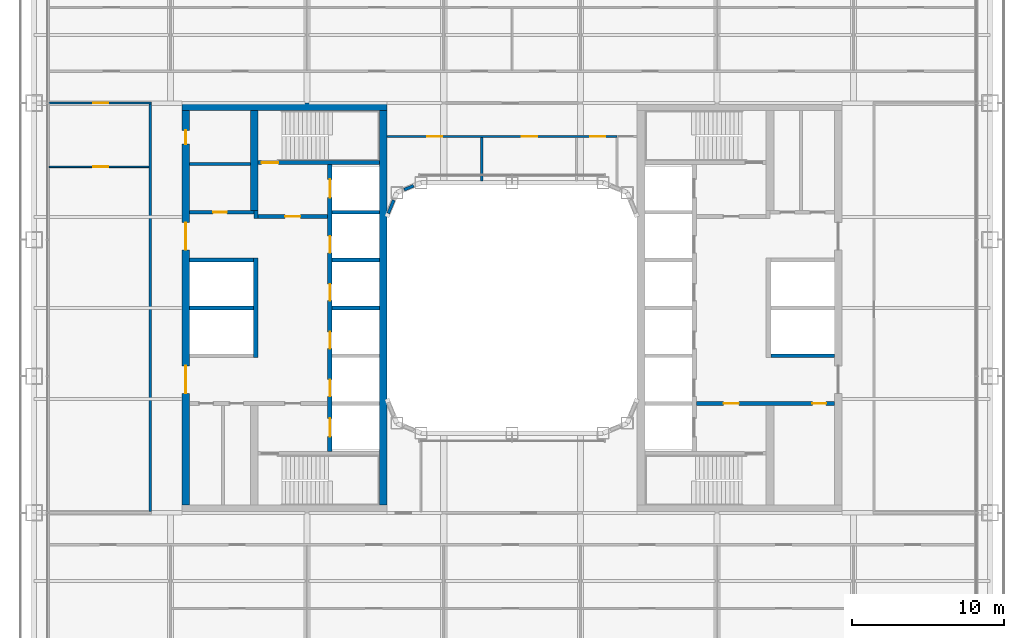
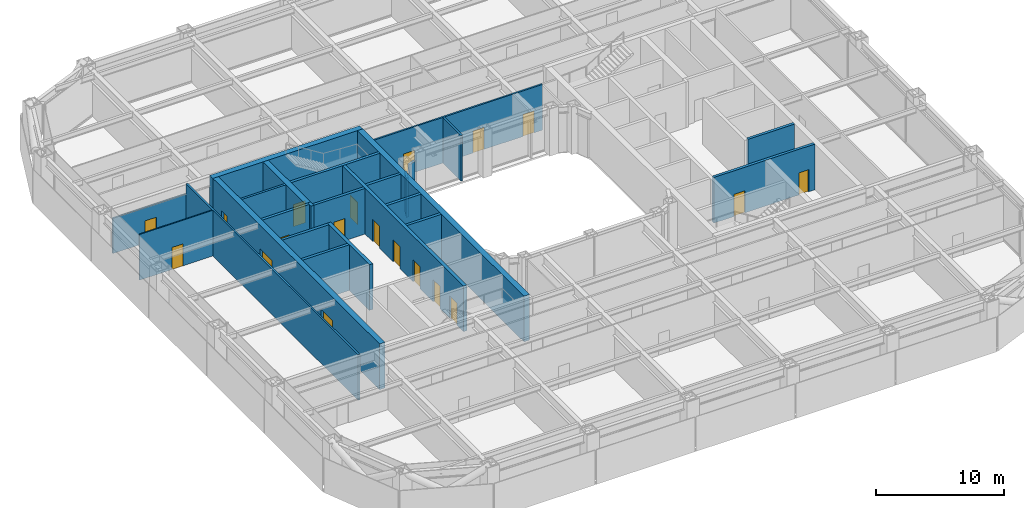
# One storey, part 13 of 24: 25 walls, 19 doors, 19 openings.
"""IFC4 building model written with IfcOpenShell, lengths in metres."""

from ifc_helpers import new_model, si_unit, direction, frame, frame_2d, origin, place, context, subcontext, project, spatial, rectangle, extrude, material, layer, layer_set, type_object, element, fill, save


model = new_model("IFC4")

# Units and contexts
model_context = context("Model", 3, precision=1e-05, world=origin(), true_north=direction((0.0, 1.0)))
body_context = subcontext(model_context, "Body", "Model", "MODEL_VIEW")
ifc_project = project(units=[si_unit("LENGTHUNIT", "METRE"), si_unit("AREAUNIT", "SQUARE_METRE"), si_unit("VOLUMEUNIT", "CUBIC_METRE"), si_unit("PLANEANGLEUNIT", "RADIAN"), si_unit("MASSUNIT", "GRAM", prefix="KILO")], contexts=[model_context])

# Site, building, storey
site_placement = place(None, origin())
site = spatial("IfcSite", under=ifc_project, at=site_placement, CompositionType="ELEMENT")
building_placement = place(site_placement, origin())
building = spatial("IfcBuilding", under=site, at=building_placement, Name="Siwar Civic Tower", CompositionType="ELEMENT")
storey_placement = place(building_placement, frame((0.0, 0.0, 22.199951171875)))
storey = spatial("IfcBuildingStorey", under=building, at=storey_placement, Name="L04", CompositionType="ELEMENT", Elevation=22.199951171875)

# Wall
ifc_material_1 = material(Name="Gypsum board on steel studs", Category="steel")
ifc_layer_1 = layer(ifc_material_1, 0.199951171875)
ifc_layer_set_1 = layer_set([ifc_layer_1], Name="Gypsum board on steel studs")
wall_type_1 = type_object("IfcWallType", Name="CORE-PARTITION-200", PredefinedType="PARTITIONING", material=ifc_layer_set_1)
wall_1_placement = place(storey_placement, frame((-17.25, 9.5, 0.0), z_axis=(0.0, 0.0, 1.0), x_axis=(-1.0, 0.0, 0.0)))
element("IfcWall", 1, at=wall_1_placement, inside=storey, type_object=wall_type_1, Name="Core partition W", PredefinedType="PARTITIONING", context=body_context, shape_type="SweptSolid", body=[
    extrude(rectangle(XDim=4.0, YDim=0.199951171875, at=frame_2d((2.0, 0.0))), origin(), (0.0, 0.0, 1.0), 4.35009765625),
])

# Wall, opening, door
ifc_material_2 = material(Name="Concrete C60/75", Category="concrete")
ifc_layer_2 = layer(ifc_material_2, 0.25)
ifc_layer_set_2 = layer_set([ifc_layer_2], Name="Concrete C60/75")
wall_type_2 = type_object("IfcWallType", Name="CORE-WALL-RC250", PredefinedType="SHEAR", material=ifc_layer_set_2)
wall_2_placement = place(storey_placement, frame((-12.14990234375, 6.02490234375, 0.0), z_axis=(0.0, 0.0, 1.0), x_axis=(-1.0, 0.0, 0.0)))
wall_2 = element("IfcWall", 2, at=wall_2_placement, inside=storey, type_object=wall_type_2, Name="Core wall W", PredefinedType="SHEAR", context=body_context, shape_type="SweptSolid", body=[
    extrude(rectangle(XDim=4.60009765625, YDim=0.25, at=frame_2d((2.300048828125, 0.0))), origin(), (0.0, 0.0, 1.0), 4.35009765625),
])
opening_1_placement = place(wall_2_placement, frame((1.800048828125, 0.0, 0.0)))
opening_1 = element("IfcOpeningElement", 3, at=opening_1_placement, cuts=wall_2, Name="Opening L04-CW01", PredefinedType="OPENING", context=body_context, shape_type="SweptSolid", body=[
    extrude(rectangle(XDim=1.0, YDim=2.10009765625, at=frame_2d((0.5, 1.050048828125))), frame((0.0, 0.135009765625, 0.0), z_axis=(0.0, -1.0, 0.0), x_axis=(1.0, 0.0, 0.0)), (0.0, 0.0, 1.0), 0.27001953125),
])
ifc_material_3 = material(Name="Steel door leaf", Category="steel")
door_type_1 = type_object("IfcDoorType", Name="CORE-DOOR-FD30S", OperationType="SINGLE_SWING_LEFT", PredefinedType="DOOR", material=ifc_material_3)
door_1_placement = place(opening_1_placement, origin())
door_1 = element("IfcDoor", 4, at=door_1_placement, inside=storey, type_object=door_type_1, Name="Firefighting lobby door L04-CW01", OperationType="SINGLE_SWING_LEFT", OverallHeight=2.10009765625, OverallWidth=1.0, PredefinedType="DOOR", context=body_context, shape_type="SweptSolid", body=[
    extrude(rectangle(XDim=1.0, YDim=2.10009765625, at=frame_2d((0.5, 1.050048828125))), frame((0.0, 0.02490234375, 0.0), z_axis=(0.0, -1.0, 0.0), x_axis=(1.0, 0.0, 0.0)), (0.0, 0.0, 1.0), 0.050048828125),
])
fill(opening_1, door_1)

# Wall
wall_3_placement = place(storey_placement, frame((-16.875, 5.89990234375, 0.0), z_axis=(0.0, 0.0, 1.0), x_axis=(0.0, 1.0, 0.0)))
element("IfcWall", 5, at=wall_3_placement, inside=storey, type_object=wall_type_2, Name="Core wall W", PredefinedType="SHEAR", context=body_context, shape_type="SweptSolid", body=[
    extrude(rectangle(XDim=0.525146484375, YDim=0.25, at=frame_2d((0.2626953125, 0.0))), origin(), (0.0, 0.0, 1.0), 4.35009765625),
])

# Wall, opening, door
wall_4_placement = place(storey_placement, frame((-17.0, 6.300048828125, 0.0), z_axis=(0.0, 0.0, 1.0), x_axis=(-1.0, 0.0, 0.0)))
wall_4 = element("IfcWall", 6, at=wall_4_placement, inside=storey, type_object=wall_type_2, Name="Core wall W", PredefinedType="SHEAR", context=body_context, shape_type="SweptSolid", body=[
    extrude(rectangle(XDim=4.25, YDim=0.25, at=frame_2d((2.125, 0.0))), origin(), (0.0, 0.0, 1.0), 4.35009765625),
])
opening_2_placement = place(wall_4_placement, frame((1.800048828125, 0.0, 0.0)))
opening_2 = element("IfcOpeningElement", 7, at=opening_2_placement, cuts=wall_4, Name="Opening L04-CW13", PredefinedType="OPENING", context=body_context, shape_type="SweptSolid", body=[
    extrude(rectangle(XDim=0.89990234375, YDim=2.10009765625, at=frame_2d((0.449951171875, 1.050048828125))), frame((0.0, 0.135009765625, 0.0), z_axis=(0.0, -1.0, 0.0), x_axis=(1.0, 0.0, 0.0)), (0.0, 0.0, 1.0), 0.27001953125),
])
ifc_material_4 = material(Name="Steel door leaf", Category="steel")
door_type_2 = type_object("IfcDoorType", Name="CORE-DOOR-ROOM", OperationType="SINGLE_SWING_LEFT", PredefinedType="DOOR", material=ifc_material_4)
door_2_placement = place(opening_2_placement, origin())
door_2 = element("IfcDoor", 8, at=door_2_placement, inside=storey, type_object=door_type_2, Name="Core room door L04-CW13", OperationType="SINGLE_SWING_LEFT", OverallHeight=2.10009765625, OverallWidth=0.89990234375, PredefinedType="DOOR", context=body_context, shape_type="SweptSolid", body=[
    extrude(rectangle(XDim=0.89990234375, YDim=2.10009765625, at=frame_2d((0.449951171875, 1.050048828125))), frame((0.0, 0.02490234375, 0.0), z_axis=(0.0, -1.0, 0.0), x_axis=(1.0, 0.0, 0.0)), (0.0, 0.0, 1.0), 0.050048828125),
])
fill(opening_2, door_2)

# Walls
for number, where, z_axis, x_axis, name in (
    (9, (-17.050048828125, 0.0, 0.0), (0.0, 0.0, 1.0), (-1.0, 0.0, 0.0), "Core wall W"),
    (10, (-17.050048828125, 3.14990234375, 0.0), (0.0, 0.0, 1.0), (-1.0, 0.0, 0.0), "Core wall W"),
):
    element("IfcWall", number, at=place(storey_placement, frame(where, z_axis=z_axis, x_axis=x_axis)), inside=storey, type_object=wall_type_2, Name=name, PredefinedType="SHEAR", context=body_context, shape_type="SweptSolid", body=[
        extrude(rectangle(XDim=4.199951171875, YDim=0.25, at=frame_2d((2.10009765625, 0.0))), origin(), (0.0, 0.0, 1.0), 4.35009765625),
    ])
for number, where, z_axis, x_axis, name in (
    (11, (-8.75, 0.0, 0.0), (0.0, 0.0, 1.0), (-1.0, 0.0, 0.0), "Core wall W"),
    (12, (-8.75, 3.14990234375, 0.0), (0.0, 0.0, 1.0), (-1.0, 0.0, 0.0), "Core wall W"),
    (13, (-8.75, 6.300048828125, 0.0), (0.0, 0.0, 1.0), (-1.0, 0.0, 0.0), "Core wall W"),
):
    element("IfcWall", number, at=place(storey_placement, frame(where, z_axis=z_axis, x_axis=x_axis)), inside=storey, type_object=wall_type_2, Name=name, PredefinedType="SHEAR", context=body_context, shape_type="SweptSolid", body=[
        extrude(rectangle(XDim=3.10009765625, YDim=0.25, at=frame_2d((1.550048828125, 0.0))), origin(), (0.0, 0.0, 1.0), 4.35009765625),
    ])

# Wall, opening, door
wall_5_placement = place(storey_placement, frame((-8.75, 9.574951171875, 0.0), z_axis=(0.0, 0.0, 1.0), x_axis=(-1.0, 0.0, 0.0)))
wall_5 = element("IfcWall", 14, at=wall_5_placement, inside=storey, type_object=wall_type_2, Name="Core wall W", PredefinedType="SHEAR", context=body_context, shape_type="SweptSolid", body=[
    extrude(rectangle(XDim=8.0, YDim=0.25, at=frame_2d((4.0, 0.0))), origin(), (0.0, 0.0, 1.0), 4.35009765625),
])
opening_3_placement = place(wall_5_placement, frame((6.64990234375, 0.0, 0.0)))
opening_3 = element("IfcOpeningElement", 15, at=opening_3_placement, cuts=wall_5, Name="Opening L04-CW03", PredefinedType="OPENING", context=body_context, shape_type="SweptSolid", body=[
    extrude(rectangle(XDim=1.10009765625, YDim=2.10009765625, at=frame_2d((0.550048828125, 1.050048828125))), frame((0.0, 0.135009765625, 0.0), z_axis=(0.0, -1.0, 0.0), x_axis=(1.0, 0.0, 0.0)), (0.0, 0.0, 1.0), 0.27001953125),
])
ifc_material_5 = material(Name="Steel door leaf", Category="steel")
door_type_3 = type_object("IfcDoorType", Name="CORE-DOOR-FD60S", OperationType="SINGLE_SWING_LEFT", PredefinedType="DOOR", material=ifc_material_5)
door_3_placement = place(opening_3_placement, origin())
door_3 = element("IfcDoor", 16, at=door_3_placement, inside=storey, type_object=door_type_3, Name="Stair door L04-CW03", OperationType="SINGLE_SWING_RIGHT", OverallHeight=2.10009765625, OverallWidth=1.10009765625, PredefinedType="DOOR", context=body_context, shape_type="SweptSolid", body=[
    extrude(rectangle(XDim=1.10009765625, YDim=2.10009765625, at=frame_2d((0.550048828125, 1.050048828125))), frame((0.0, 0.02490234375, 0.0), z_axis=(0.0, -1.0, 0.0), x_axis=(1.0, 0.0, 0.0)), (0.0, 0.0, 1.0), 0.050048828125),
])
fill(opening_3, door_3)

# Wall, openings, doors
wall_6_placement = place(storey_placement, frame((12.14990234375, -6.300048828125, 0.0), z_axis=(0.0, 0.0, 1.0), x_axis=(1.0, 0.0, 0.0)))
wall_6 = element("IfcWall", 17, at=wall_6_placement, inside=storey, type_object=wall_type_2, Name="Core wall E", PredefinedType="SHEAR", context=body_context, shape_type="SweptSolid", body=[
    extrude(rectangle(XDim=9.10009765625, YDim=0.25, at=frame_2d((4.550048828125, 0.0))), origin(), (0.0, 0.0, 1.0), 4.35009765625),
])
opening_4_placement = place(wall_6_placement, frame((1.800048828125, 0.0, 0.0)))
opening_4 = element("IfcOpeningElement", 18, at=opening_4_placement, cuts=wall_6, Name="Opening L04-CE02", PredefinedType="OPENING", context=body_context, shape_type="SweptSolid", body=[
    extrude(rectangle(XDim=1.0, YDim=2.10009765625, at=frame_2d((0.5, 1.050048828125))), frame((0.0, 0.135009765625, 0.0), z_axis=(0.0, -1.0, 0.0), x_axis=(1.0, 0.0, 0.0)), (0.0, 0.0, 1.0), 0.27001953125),
])
opening_5_placement = place(wall_6_placement, frame((7.64990234375, 0.0, 0.0)))
opening_5 = element("IfcOpeningElement", 19, at=opening_5_placement, cuts=wall_6, Name="Opening L04-CE15", PredefinedType="OPENING", context=body_context, shape_type="SweptSolid", body=[
    extrude(rectangle(XDim=0.89990234375, YDim=2.10009765625, at=frame_2d((0.449951171875, 1.050048828125))), frame((0.0, 0.135009765625, 0.0), z_axis=(0.0, -1.0, 0.0), x_axis=(1.0, 0.0, 0.0)), (0.0, 0.0, 1.0), 0.27001953125),
])
door_4_placement = place(opening_4_placement, origin())
door_4 = element("IfcDoor", 20, at=door_4_placement, inside=storey, type_object=door_type_1, Name="Service lobby door L04-CE02", OperationType="SINGLE_SWING_LEFT", OverallHeight=2.10009765625, OverallWidth=1.0, PredefinedType="DOOR", context=body_context, shape_type="SweptSolid", body=[
    extrude(rectangle(XDim=1.0, YDim=2.10009765625, at=frame_2d((0.5, 1.050048828125))), frame((0.0, 0.02490234375, 0.0), z_axis=(0.0, -1.0, 0.0), x_axis=(1.0, 0.0, 0.0)), (0.0, 0.0, 1.0), 0.050048828125),
])
fill(opening_4, door_4)
door_5_placement = place(opening_5_placement, origin())
door_5 = element("IfcDoor", 21, at=door_5_placement, inside=storey, type_object=door_type_2, Name="Core room door L04-CE15", OperationType="SINGLE_SWING_RIGHT", OverallHeight=2.10009765625, OverallWidth=0.89990234375, PredefinedType="DOOR", context=body_context, shape_type="SweptSolid", body=[
    extrude(rectangle(XDim=0.89990234375, YDim=2.10009765625, at=frame_2d((0.449951171875, 1.050048828125))), frame((0.0, 0.02490234375, 0.0), z_axis=(0.0, -1.0, 0.0), x_axis=(1.0, 0.0, 0.0)), (0.0, 0.0, 1.0), 0.050048828125),
])
fill(opening_5, door_5)

# Wall
wall_7_placement = place(storey_placement, frame((17.050048828125, -3.14990234375, 0.0), z_axis=(0.0, 0.0, 1.0), x_axis=(1.0, 0.0, 0.0)))
element("IfcWall", 22, at=wall_7_placement, inside=storey, type_object=wall_type_2, Name="Core wall E", PredefinedType="SHEAR", context=body_context, shape_type="SweptSolid", body=[
    extrude(rectangle(XDim=4.199951171875, YDim=0.25, at=frame_2d((2.10009765625, 0.0))), origin(), (0.0, 0.0, 1.0), 4.35009765625),
])

# Wall, openings, doors
ifc_material_6 = material(Name="Concrete C60/75", Category="concrete")
ifc_layer_3 = layer(ifc_material_6, 0.300048828125)
ifc_layer_set_3 = layer_set([ifc_layer_3], Name="Concrete C60/75")
wall_type_3 = type_object("IfcWallType", Name="CORE-WALL-RC300", PredefinedType="SHEAR", material=ifc_layer_set_3)
wall_8_placement = place(storey_placement, frame((-12.0, -9.449951171875, 0.0), z_axis=(0.0, 0.0, 1.0), x_axis=(0.0, 1.0, 0.0)))
wall_8 = element("IfcWall", 23, at=wall_8_placement, inside=storey, type_object=wall_type_3, Name="Core wall W", PredefinedType="SHEAR", context=body_context, shape_type="SweptSolid", body=[
    extrude(rectangle(XDim=18.89990234375, YDim=0.300048828125, at=frame_2d((9.449951171875, 0.0))), origin(), (0.0, 0.0, 1.0), 4.35009765625),
])
opening_6_placement = place(wall_8_placement, frame((3.625, 0.0, 0.0)))
opening_6 = element("IfcOpeningElement", 24, at=opening_6_placement, cuts=wall_8, Name="Opening L04-CW07", PredefinedType="OPENING", context=body_context, shape_type="SweptSolid", body=[
    extrude(rectangle(XDim=1.10009765625, YDim=2.10009765625, at=frame_2d((0.550048828125, 1.050048828125))), frame((0.0, 0.16015625, 0.0), z_axis=(0.0, -1.0, 0.0), x_axis=(1.0, 0.0, 0.0)), (0.0, 0.0, 1.0), 0.320068359375),
])
opening_7_placement = place(wall_8_placement, frame((6.77490234375, 0.0, 0.0)))
opening_7 = element("IfcOpeningElement", 25, at=opening_7_placement, cuts=wall_8, Name="Opening L04-CW08", PredefinedType="OPENING", context=body_context, shape_type="SweptSolid", body=[
    extrude(rectangle(XDim=1.10009765625, YDim=2.10009765625, at=frame_2d((0.550048828125, 1.050048828125))), frame((0.0, 0.16015625, 0.0), z_axis=(0.0, -1.0, 0.0), x_axis=(1.0, 0.0, 0.0)), (0.0, 0.0, 1.0), 0.320068359375),
])
opening_8_placement = place(wall_8_placement, frame((9.925048828125, 0.0, 0.0)))
opening_8 = element("IfcOpeningElement", 26, at=opening_8_placement, cuts=wall_8, Name="Opening L04-CW09", PredefinedType="OPENING", context=body_context, shape_type="SweptSolid", body=[
    extrude(rectangle(XDim=1.10009765625, YDim=2.10009765625, at=frame_2d((0.550048828125, 1.050048828125))), frame((0.0, 0.16015625, 0.0), z_axis=(0.0, -1.0, 0.0), x_axis=(1.0, 0.0, 0.0)), (0.0, 0.0, 1.0), 0.320068359375),
])
opening_9_placement = place(wall_8_placement, frame((13.074951171875, 0.0, 0.0)))
opening_9 = element("IfcOpeningElement", 27, at=opening_9_placement, cuts=wall_8, Name="Opening L04-CW10", PredefinedType="OPENING", context=body_context, shape_type="SweptSolid", body=[
    extrude(rectangle(XDim=1.10009765625, YDim=2.10009765625, at=frame_2d((0.550048828125, 1.050048828125))), frame((0.0, 0.16015625, 0.0), z_axis=(0.0, -1.0, 0.0), x_axis=(1.0, 0.0, 0.0)), (0.0, 0.0, 1.0), 0.320068359375),
])
opening_10_placement = place(wall_8_placement, frame((16.72509765625, 0.0, 0.0)))
opening_10 = element("IfcOpeningElement", 28, at=opening_10_placement, cuts=wall_8, Name="Opening L04-CW11", PredefinedType="OPENING", context=body_context, shape_type="SweptSolid", body=[
    extrude(rectangle(XDim=1.199951171875, YDim=2.10009765625, at=frame_2d((0.60009765625, 1.050048828125))), frame((0.0, 0.16015625, 0.0), z_axis=(0.0, -1.0, 0.0), x_axis=(1.0, 0.0, 0.0)), (0.0, 0.0, 1.0), 0.320068359375),
])
opening_11_placement = place(wall_8_placement, frame((0.97509765625, 0.0, 0.0)))
opening_11 = element("IfcOpeningElement", 29, at=opening_11_placement, cuts=wall_8, Name="Opening L04-CW12", PredefinedType="OPENING", context=body_context, shape_type="SweptSolid", body=[
    extrude(rectangle(XDim=1.199951171875, YDim=2.10009765625, at=frame_2d((0.60009765625, 1.050048828125))), frame((0.0, 0.16015625, 0.0), z_axis=(0.0, -1.0, 0.0), x_axis=(1.0, 0.0, 0.0)), (0.0, 0.0, 1.0), 0.320068359375),
])
ifc_material_7 = material(Name="Steel door leaf", Category="steel")
door_type_4 = type_object("IfcDoorType", Name="CORE-DOOR-LD", OperationType="DOUBLE_DOOR_SLIDING", PredefinedType="DOOR", material=ifc_material_7)
door_6_placement = place(opening_6_placement, origin())
door_6 = element("IfcDoor", 30, at=door_6_placement, inside=storey, type_object=door_type_4, Name="Landing door LR1 L04-CW07", OperationType="DOUBLE_DOOR_SLIDING", OverallHeight=2.10009765625, OverallWidth=1.10009765625, PredefinedType="DOOR", context=body_context, shape_type="SweptSolid", body=[
    extrude(rectangle(XDim=1.10009765625, YDim=2.10009765625, at=frame_2d((0.550048828125, 1.050048828125))), frame((0.0, 0.02490234375, 0.0), z_axis=(0.0, -1.0, 0.0), x_axis=(1.0, 0.0, 0.0)), (0.0, 0.0, 1.0), 0.050048828125),
])
fill(opening_6, door_6)
door_7_placement = place(opening_7_placement, origin())
door_7 = element("IfcDoor", 31, at=door_7_placement, inside=storey, type_object=door_type_4, Name="Landing door LR2 L04-CW08", OperationType="DOUBLE_DOOR_SLIDING", OverallHeight=2.10009765625, OverallWidth=1.10009765625, PredefinedType="DOOR", context=body_context, shape_type="SweptSolid", body=[
    extrude(rectangle(XDim=1.10009765625, YDim=2.10009765625, at=frame_2d((0.550048828125, 1.050048828125))), frame((0.0, 0.02490234375, 0.0), z_axis=(0.0, -1.0, 0.0), x_axis=(1.0, 0.0, 0.0)), (0.0, 0.0, 1.0), 0.050048828125),
])
fill(opening_7, door_7)
door_8_placement = place(opening_8_placement, origin())
door_8 = element("IfcDoor", 32, at=door_8_placement, inside=storey, type_object=door_type_4, Name="Landing door LR3 L04-CW09", OperationType="DOUBLE_DOOR_SLIDING", OverallHeight=2.10009765625, OverallWidth=1.10009765625, PredefinedType="DOOR", context=body_context, shape_type="SweptSolid", body=[
    extrude(rectangle(XDim=1.10009765625, YDim=2.10009765625, at=frame_2d((0.550048828125, 1.050048828125))), frame((0.0, 0.02490234375, 0.0), z_axis=(0.0, -1.0, 0.0), x_axis=(1.0, 0.0, 0.0)), (0.0, 0.0, 1.0), 0.050048828125),
])
fill(opening_8, door_8)
door_9_placement = place(opening_9_placement, origin())
door_9 = element("IfcDoor", 33, at=door_9_placement, inside=storey, type_object=door_type_4, Name="Landing door LR4 L04-CW10", OperationType="DOUBLE_DOOR_SLIDING", OverallHeight=2.10009765625, OverallWidth=1.10009765625, PredefinedType="DOOR", context=body_context, shape_type="SweptSolid", body=[
    extrude(rectangle(XDim=1.10009765625, YDim=2.10009765625, at=frame_2d((0.550048828125, 1.050048828125))), frame((0.0, 0.02490234375, 0.0), z_axis=(0.0, -1.0, 0.0), x_axis=(1.0, 0.0, 0.0)), (0.0, 0.0, 1.0), 0.050048828125),
])
fill(opening_9, door_9)
ifc_material_8 = material(Name="Steel door leaf", Category="steel")
door_type_5 = type_object("IfcDoorType", Name="CORE-DOOR-LDW", OperationType="DOUBLE_DOOR_SLIDING", PredefinedType="DOOR", material=ifc_material_8)
door_10_placement = place(opening_10_placement, origin())
door_10 = element("IfcDoor", 34, at=door_10_placement, inside=storey, type_object=door_type_5, Name="Landing door FF1 L04-CW11", OperationType="DOUBLE_DOOR_SLIDING", OverallHeight=2.10009765625, OverallWidth=1.199951171875, PredefinedType="DOOR", context=body_context, shape_type="SweptSolid", body=[
    extrude(rectangle(XDim=1.199951171875, YDim=2.10009765625, at=frame_2d((0.60009765625, 1.050048828125))), frame((0.0, 0.02490234375, 0.0), z_axis=(0.0, -1.0, 0.0), x_axis=(1.0, 0.0, 0.0)), (0.0, 0.0, 1.0), 0.050048828125),
])
fill(opening_10, door_10)
door_11_placement = place(opening_11_placement, origin())
door_11 = element("IfcDoor", 35, at=door_11_placement, inside=storey, type_object=door_type_5, Name="Landing door SV1 L04-CW12", OperationType="DOUBLE_DOOR_SLIDING", OverallHeight=2.10009765625, OverallWidth=1.199951171875, PredefinedType="DOOR", context=body_context, shape_type="SweptSolid", body=[
    extrude(rectangle(XDim=1.199951171875, YDim=2.10009765625, at=frame_2d((0.60009765625, 1.050048828125))), frame((0.0, 0.02490234375, 0.0), z_axis=(0.0, -1.0, 0.0), x_axis=(1.0, 0.0, 0.0)), (0.0, 0.0, 1.0), 0.050048828125),
])
fill(opening_11, door_11)

# Wall
wall_9_placement = place(storey_placement, frame((-16.89990234375, -3.27490234375, 0.0), z_axis=(0.0, 0.0, 1.0), x_axis=(0.0, 1.0, 0.0)))
element("IfcWall", 36, at=wall_9_placement, inside=storey, type_object=wall_type_3, Name="Core wall W", PredefinedType="SHEAR", context=body_context, shape_type="SweptSolid", body=[
    extrude(rectangle(XDim=6.5498046875, YDim=0.300048828125, at=frame_2d((3.27490234375, 0.0))), origin(), (0.0, 0.0, 1.0), 4.35009765625),
])

# Wall, openings, doors
ifc_material_9 = material(Name="Concrete C60/75", Category="concrete")
ifc_layer_4 = layer(ifc_material_9, 0.5)
ifc_layer_set_4 = layer_set([ifc_layer_4], Name="Concrete C60/75")
wall_type_4 = type_object("IfcWallType", Name="CORE-WALL-RC500", PredefinedType="SHEAR", material=ifc_layer_set_4)
wall_10_placement = place(storey_placement, frame((-21.5, -13.0, 0.0), z_axis=(0.0, 0.0, 1.0), x_axis=(0.0, 1.0, 0.0)))
wall_10 = element("IfcWall", 37, at=wall_10_placement, inside=storey, type_object=wall_type_4, Name="Core wall W", PredefinedType="SHEAR", context=body_context, shape_type="SweptSolid", body=[
    extrude(rectangle(XDim=26.0, YDim=0.5, at=frame_2d((13.0, 0.0))), origin(), (0.0, 0.0, 1.0), 4.35009765625),
])
opening_12_placement = place(wall_10_placement, frame((16.824951171875, 0.0, 0.0)))
opening_12 = element("IfcOpeningElement", 38, at=opening_12_placement, cuts=wall_10, Name="Opening L04-CW05", PredefinedType="OPENING", context=body_context, shape_type="SweptSolid", body=[
    extrude(rectangle(XDim=1.800048828125, YDim=2.10009765625, at=frame_2d((0.89990234375, 1.050048828125))), frame((0.0, 0.260009765625, 0.0), z_axis=(0.0, -1.0, 0.0), x_axis=(1.0, 0.0, 0.0)), (0.0, 0.0, 1.0), 0.52001953125),
])
opening_13_placement = place(wall_10_placement, frame((7.375, 0.0, 0.0)))
opening_13 = element("IfcOpeningElement", 39, at=opening_13_placement, cuts=wall_10, Name="Opening L04-CW06", PredefinedType="OPENING", context=body_context, shape_type="SweptSolid", body=[
    extrude(rectangle(XDim=1.800048828125, YDim=2.10009765625, at=frame_2d((0.89990234375, 1.050048828125))), frame((0.0, 0.260009765625, 0.0), z_axis=(0.0, -1.0, 0.0), x_axis=(1.0, 0.0, 0.0)), (0.0, 0.0, 1.0), 0.52001953125),
])
opening_14_placement = place(wall_10_placement, frame((23.800048828125, 0.0, 0.0)))
opening_14 = element("IfcOpeningElement", 40, at=opening_14_placement, cuts=wall_10, Name="Opening L04-CW14", PredefinedType="OPENING", context=body_context, shape_type="SweptSolid", body=[
    extrude(rectangle(XDim=0.89990234375, YDim=2.10009765625, at=frame_2d((0.449951171875, 1.050048828125))), frame((0.0, 0.260009765625, 0.0), z_axis=(0.0, -1.0, 0.0), x_axis=(1.0, 0.0, 0.0)), (0.0, 0.0, 1.0), 0.52001953125),
])
ifc_material_10 = material(Name="Steel door leaf", Category="steel")
door_type_6 = type_object("IfcDoorType", Name="CORE-DOOR-PORT", OperationType="DOUBLE_DOOR_DOUBLE_SWING", PredefinedType="DOOR", material=ifc_material_10)
door_12_placement = place(opening_12_placement, origin())
door_12 = element("IfcDoor", 41, at=door_12_placement, inside=storey, type_object=door_type_6, Name="Core entrance door L04-CW05", OperationType="DOUBLE_DOOR_DOUBLE_SWING", OverallHeight=2.10009765625, OverallWidth=1.800048828125, PredefinedType="DOOR", context=body_context, shape_type="SweptSolid", body=[
    extrude(rectangle(XDim=1.800048828125, YDim=2.10009765625, at=frame_2d((0.89990234375, 1.050048828125))), frame((0.0, 0.02490234375, 0.0), z_axis=(0.0, -1.0, 0.0), x_axis=(1.0, 0.0, 0.0)), (0.0, 0.0, 1.0), 0.050048828125),
])
fill(opening_12, door_12)
door_13_placement = place(opening_13_placement, origin())
door_13 = element("IfcDoor", 42, at=door_13_placement, inside=storey, type_object=door_type_6, Name="Core entrance door L04-CW06", OperationType="DOUBLE_DOOR_DOUBLE_SWING", OverallHeight=2.10009765625, OverallWidth=1.800048828125, PredefinedType="DOOR", context=body_context, shape_type="SweptSolid", body=[
    extrude(rectangle(XDim=1.800048828125, YDim=2.10009765625, at=frame_2d((0.89990234375, 1.050048828125))), frame((0.0, 0.02490234375, 0.0), z_axis=(0.0, -1.0, 0.0), x_axis=(1.0, 0.0, 0.0)), (0.0, 0.0, 1.0), 0.050048828125),
])
fill(opening_13, door_13)
door_14_placement = place(opening_14_placement, origin())
door_14 = element("IfcDoor", 43, at=door_14_placement, inside=storey, type_object=door_type_2, Name="Core room door L04-CW14", OperationType="SINGLE_SWING_LEFT", OverallHeight=2.10009765625, OverallWidth=0.89990234375, PredefinedType="DOOR", context=body_context, shape_type="SweptSolid", body=[
    extrude(rectangle(XDim=0.89990234375, YDim=2.10009765625, at=frame_2d((0.449951171875, 1.050048828125))), frame((0.0, 0.02490234375, 0.0), z_axis=(0.0, -1.0, 0.0), x_axis=(1.0, 0.0, 0.0)), (0.0, 0.0, 1.0), 0.050048828125),
])
fill(opening_14, door_14)

# Walls
wall_11_placement = place(storey_placement, frame((-17.0, 6.425048828125, 0.0), z_axis=(0.0, 0.0, 1.0), x_axis=(0.0, 1.0, 0.0)))
element("IfcWall", 44, at=wall_11_placement, inside=storey, type_object=wall_type_4, Name="Core wall W", PredefinedType="SHEAR", context=body_context, shape_type="SweptSolid", body=[
    extrude(rectangle(XDim=6.574951171875, YDim=0.5, at=frame_2d((3.28759765625, 0.0))), origin(), (0.0, 0.0, 1.0), 4.35009765625),
])
wall_12_placement = place(storey_placement, frame((-8.25, 13.25, 0.0), z_axis=(0.0, 0.0, 1.0), x_axis=(-1.0, 0.0, 0.0)))
element("IfcWall", 45, at=wall_12_placement, inside=storey, type_object=wall_type_4, Name="Core wall W", PredefinedType="SHEAR", context=body_context, shape_type="SweptSolid", body=[
    extrude(rectangle(XDim=13.5, YDim=0.5, at=frame_2d((6.75, 0.0))), origin(), (0.0, 0.0, 1.0), 4.35009765625),
])
ifc_material_11 = material(Name="Concrete C60/75", Category="concrete")
ifc_layer_5 = layer(ifc_material_11, 0.5)
ifc_layer_set_5 = layer_set([ifc_layer_5], Name="Concrete C60/75")
wall_type_5 = type_object("IfcWallType", Name="CORE-WALL-RC500-EXT", PredefinedType="SHEAR", material=ifc_layer_set_5)
wall_13_placement = place(storey_placement, frame((-8.5, -13.0, 0.0), z_axis=(0.0, 0.0, 1.0), x_axis=(0.0, 1.0, 0.0)))
element("IfcWall", 46, at=wall_13_placement, inside=storey, type_object=wall_type_5, Name="Core wall W", PredefinedType="SHEAR", context=body_context, shape_type="SweptSolid", body=[
    extrude(rectangle(XDim=26.0, YDim=0.5, at=frame_2d((13.0, 0.0))), origin(), (0.0, 0.0, 1.0), 4.35009765625),
])

# Wall, openings, doors
ifc_material_12 = material(Name="Gypsum board on steel studs", Category="steel")
ifc_layer_6 = layer(ifc_material_12, 0.14990234375)
ifc_layer_set_6 = layer_set([ifc_layer_6], Name="Gypsum board on steel studs")
wall_type_6 = type_object("IfcWallType", Name="CORRIDOR PARTITION 150 EI 30", PredefinedType="PARTITIONING", material=ifc_layer_set_6)
wall_14_placement = place(storey_placement, frame((-8.25, 11.300048828125, 0.0), z_axis=(0.0, 0.0, 1.0), x_axis=(1.0, 0.0, 0.0)))
wall_14 = element("IfcWall", 47, at=wall_14_placement, inside=storey, type_object=wall_type_6, Name="L04/wall/P07", PredefinedType="PARTITIONING", context=body_context, shape_type="SweptSolid", body=[
    extrude(rectangle(XDim=15.169921875, YDim=0.14990234375, at=frame_2d((7.5849609375, 0.0))), origin(), (0.0, 0.0, 1.0), 4.35009765625),
])
opening_15_placement = place(wall_14_placement, frame((2.64990234375, 0.0, 0.0)))
opening_15 = element("IfcOpeningElement", 48, at=opening_15_placement, cuts=wall_14, Name="Opening D3", PredefinedType="OPENING", context=body_context, shape_type="SweptSolid", body=[
    extrude(rectangle(XDim=1.0, YDim=2.10009765625, at=frame_2d((0.5, 1.050048828125))), frame((0.0, 0.0849609375, 0.0), z_axis=(0.0, -1.0, 0.0), x_axis=(1.0, 0.0, 0.0)), (0.0, 0.0, 1.0), 0.169921875),
])
opening_16_placement = place(wall_14_placement, frame((8.89990234375, 0.0, 0.0)))
opening_16 = element("IfcOpeningElement", 49, at=opening_16_placement, cuts=wall_14, Name="Opening D3", PredefinedType="OPENING", context=body_context, shape_type="SweptSolid", body=[
    extrude(rectangle(XDim=1.0, YDim=2.10009765625, at=frame_2d((0.5, 1.050048828125))), frame((0.0, 0.0849609375, 0.0), z_axis=(0.0, -1.0, 0.0), x_axis=(1.0, 0.0, 0.0)), (0.0, 0.0, 1.0), 0.169921875),
])
opening_17_placement = place(wall_14_placement, frame((13.39990234375, 0.0, 0.0)))
opening_17 = element("IfcOpeningElement", 50, at=opening_17_placement, cuts=wall_14, Name="Opening D3", PredefinedType="OPENING", context=body_context, shape_type="SweptSolid", body=[
    extrude(rectangle(XDim=1.0, YDim=2.10009765625, at=frame_2d((0.5, 1.050048828125))), frame((0.0, 0.0849609375, 0.0), z_axis=(0.0, -1.0, 0.0), x_axis=(1.0, 0.0, 0.0)), (0.0, 0.0, 1.0), 0.169921875),
])
ifc_material_13 = material(Name="Timber, painted", Category="wood")
door_type_7 = type_object("IfcDoorType", Name="DOOR 1000 X 2100 WC", OperationType="SINGLE_SWING_LEFT", PredefinedType="DOOR", material=ifc_material_13)
door_15_placement = place(opening_15_placement, origin())
door_15 = element("IfcDoor", 51, at=door_15_placement, inside=storey, type_object=door_type_7, Name="L04-D33", OperationType="SINGLE_SWING_LEFT", OverallHeight=2.10009765625, OverallWidth=1.0, PredefinedType="DOOR", context=body_context, shape_type="SweptSolid", body=[
    extrude(rectangle(XDim=1.0, YDim=2.10009765625, at=frame_2d((0.5, 1.050048828125))), frame((0.0, 0.02490234375, 0.0), z_axis=(0.0, -1.0, 0.0), x_axis=(1.0, 0.0, 0.0)), (0.0, 0.0, 1.0), 0.050048828125),
])
fill(opening_15, door_15)
door_16_placement = place(opening_16_placement, origin())
door_16 = element("IfcDoor", 52, at=door_16_placement, inside=storey, type_object=door_type_7, Name="L04-D34", OperationType="SINGLE_SWING_RIGHT", OverallHeight=2.10009765625, OverallWidth=1.0, PredefinedType="DOOR", context=body_context, shape_type="SweptSolid", body=[
    extrude(rectangle(XDim=1.0, YDim=2.10009765625, at=frame_2d((0.5, 1.050048828125))), frame((0.0, 0.02490234375, 0.0), z_axis=(0.0, -1.0, 0.0), x_axis=(1.0, 0.0, 0.0)), (0.0, 0.0, 1.0), 0.050048828125),
])
fill(opening_16, door_16)
door_17_placement = place(opening_17_placement, origin())
door_17 = element("IfcDoor", 53, at=door_17_placement, inside=storey, type_object=door_type_7, Name="L04-D35", OperationType="SINGLE_SWING_LEFT", OverallHeight=2.10009765625, OverallWidth=1.0, PredefinedType="DOOR", context=body_context, shape_type="SweptSolid", body=[
    extrude(rectangle(XDim=1.0, YDim=2.10009765625, at=frame_2d((0.5, 1.050048828125))), frame((0.0, 0.02490234375, 0.0), z_axis=(0.0, -1.0, 0.0), x_axis=(1.0, 0.0, 0.0)), (0.0, 0.0, 1.0), 0.050048828125),
])
fill(opening_17, door_17)

# Wall, opening, door
wall_15_placement = place(storey_placement, frame((-30.510009765625, 13.5, 0.0), z_axis=(0.0, 0.0, 1.0), x_axis=(1.0, 0.0, 0.0)))
wall_15 = element("IfcWall", 54, at=wall_15_placement, inside=storey, type_object=wall_type_6, Name="L04/wall/P09", PredefinedType="PARTITIONING", context=body_context, shape_type="SweptSolid", body=[
    extrude(rectangle(XDim=6.735107421875, YDim=0.14990234375, at=frame_2d((3.36767578125, 0.0))), origin(), (0.0, 0.0, 1.0), 3.35009765625),
])
opening_18_placement = place(wall_15_placement, frame((2.89990234375, 0.0, 0.0)))
opening_18 = element("IfcOpeningElement", 55, at=opening_18_placement, cuts=wall_15, Name="Opening D1", PredefinedType="OPENING", context=body_context, shape_type="SweptSolid", body=[
    extrude(rectangle(XDim=1.0, YDim=2.10009765625, at=frame_2d((0.5, 1.050048828125))), frame((0.0, 0.0849609375, 0.0), z_axis=(0.0, -1.0, 0.0), x_axis=(1.0, 0.0, 0.0)), (0.0, 0.0, 1.0), 0.169921875),
])
ifc_material_14 = material(Name="Timber, painted", Category="wood")
door_type_8 = type_object("IfcDoorType", Name="DOOR 1000 X 2100 FD30", OperationType="SINGLE_SWING_LEFT", PredefinedType="DOOR", material=ifc_material_14)
door_18_placement = place(opening_18_placement, origin())
door_18 = element("IfcDoor", 56, at=door_18_placement, inside=storey, type_object=door_type_8, Name="L04-D29", OperationType="SINGLE_SWING_LEFT", OverallHeight=2.10009765625, OverallWidth=1.0, PredefinedType="DOOR", context=body_context, shape_type="SweptSolid", body=[
    extrude(rectangle(XDim=1.0, YDim=2.10009765625, at=frame_2d((0.5, 1.050048828125))), frame((0.0, 0.02490234375, 0.0), z_axis=(0.0, -1.0, 0.0), x_axis=(1.0, 0.0, 0.0)), (0.0, 0.0, 1.0), 0.050048828125),
])
fill(opening_18, door_18)

# Walls
wall_16_placement = place(storey_placement, frame((-23.85009765625, -13.425048828125, 0.0), z_axis=(0.0, 0.0, 1.0), x_axis=(0.0, 1.0, 0.0)))
element("IfcWall", 57, at=wall_16_placement, inside=storey, type_object=wall_type_6, Name="L04/wall/P14", PredefinedType="PARTITIONING", context=body_context, shape_type="SweptSolid", body=[
    extrude(rectangle(XDim=26.85009765625, YDim=0.14990234375, at=frame_2d((13.425048828125, 0.0))), origin(), (0.0, 0.0, 1.0), 4.35009765625),
])
wall_17_placement = place(storey_placement, frame((-2.0, 8.3701171875, 0.0), z_axis=(0.0, 0.0, 1.0), x_axis=(0.0, 1.0, 0.0)))
element("IfcWall", 58, at=wall_17_placement, inside=storey, type_object=wall_type_6, Name="L04/wall/P27", PredefinedType="PARTITIONING", context=body_context, shape_type="SweptSolid", body=[
    extrude(rectangle(XDim=2.85498046875, YDim=0.14990234375, at=frame_2d((1.427490234375, 0.0))), origin(), (0.0, 0.0, 1.0), 4.35009765625),
])
ifc_material_15 = material(Name="Aluminium clad insulated panel", Category="aluminium")
ifc_layer_7 = layer(ifc_material_15, 0.199951171875)
ifc_layer_set_7 = layer_set([ifc_layer_7], Name="Aluminium clad insulated panel")
wall_type_7 = type_object("IfcWallType", Name="ENV-WALL-WELL", PredefinedType="STANDARD", material=ifc_layer_set_7)
wall_18_placement = place(storey_placement, frame((-6.48291015625, 8.050048828125, 0.0), z_axis=(0.0, 0.0, 1.0), x_axis=(-0.923854141361, -0.382744726273, 0.0)))
element("IfcWall", 59, at=wall_18_placement, inside=storey, type_object=wall_type_7, Name="Light well corner wall NW1", PredefinedType="STANDARD", context=body_context, shape_type="SweptSolid", body=[
    extrude(rectangle(XDim=0.6767578125, YDim=0.199951171875, at=frame_2d((0.33837890625, 0.0))), origin(), (0.0, 0.0, 1.0), 3.72998046875),
])
wall_19_placement = place(storey_placement, frame((-7.791015625, 7.108154296875, 0.0), z_axis=(0.0, 0.0, 1.0), x_axis=(-0.382624318388, -0.923904016107, 0.0)))
element("IfcWall", 60, at=wall_19_placement, inside=storey, type_object=wall_type_7, Name="Light well corner wall NW2", PredefinedType="STANDARD", context=body_context, shape_type="SweptSolid", body=[
    extrude(rectangle(XDim=0.949462890625, YDim=0.199951171875, at=frame_2d((0.474609375, 0.0))), origin(), (0.0, 0.0, 1.0), 3.72998046875),
])

# Wall, opening, door
ifc_material_16 = material(Name="Gypsum board on steel studs", Category="steel")
ifc_layer_8 = layer(ifc_material_16, 0.10009765625)
ifc_layer_set_8 = layer_set([ifc_layer_8], Name="Gypsum board on steel studs")
wall_type_8 = type_object("IfcWallType", Name="PARTITION 100 GYPSUM", PredefinedType="PARTITIONING", material=ifc_layer_set_8)
wall_20_placement = place(storey_placement, frame((-30.510009765625, 9.300048828125, 0.0), z_axis=(0.0, 0.0, 1.0), x_axis=(1.0, 0.0, 0.0)))
wall_20 = element("IfcWall", 61, at=wall_20_placement, inside=storey, type_object=wall_type_8, Name="L04/wall/P06", PredefinedType="PARTITIONING", context=body_context, shape_type="SweptSolid", body=[
    extrude(rectangle(XDim=6.5849609375, YDim=0.10009765625, at=frame_2d((3.29248046875, 0.0))), origin(), (0.0, 0.0, 1.0), 4.35009765625),
])
opening_19_placement = place(wall_20_placement, frame((2.89990234375, 0.0, 0.0)))
opening_19 = element("IfcOpeningElement", 62, at=opening_19_placement, cuts=wall_20, Name="Opening D2", PredefinedType="OPENING", context=body_context, shape_type="SweptSolid", body=[
    extrude(rectangle(XDim=1.0, YDim=2.10009765625, at=frame_2d((0.5, 1.050048828125))), frame((0.0, 0.06005859375, 0.0), z_axis=(0.0, -1.0, 0.0), x_axis=(1.0, 0.0, 0.0)), (0.0, 0.0, 1.0), 0.1201171875),
])
ifc_material_17 = material(Name="Timber, painted", Category="wood")
door_type_9 = type_object("IfcDoorType", Name="DOOR 1000 X 2100", OperationType="SINGLE_SWING_LEFT", PredefinedType="DOOR", material=ifc_material_17)
door_19_placement = place(opening_19_placement, origin())
door_19 = element("IfcDoor", 63, at=door_19_placement, inside=storey, type_object=door_type_9, Name="L04-D30", OperationType="SINGLE_SWING_RIGHT", OverallHeight=2.10009765625, OverallWidth=1.0, PredefinedType="DOOR", context=body_context, shape_type="SweptSolid", body=[
    extrude(rectangle(XDim=1.0, YDim=2.10009765625, at=frame_2d((0.5, 1.050048828125))), frame((0.0, 0.02490234375, 0.0), z_axis=(0.0, -1.0, 0.0), x_axis=(1.0, 0.0, 0.0)), (0.0, 0.0, 1.0), 0.050048828125),
])
fill(opening_19, door_19)

save(model, "model.ifc")
